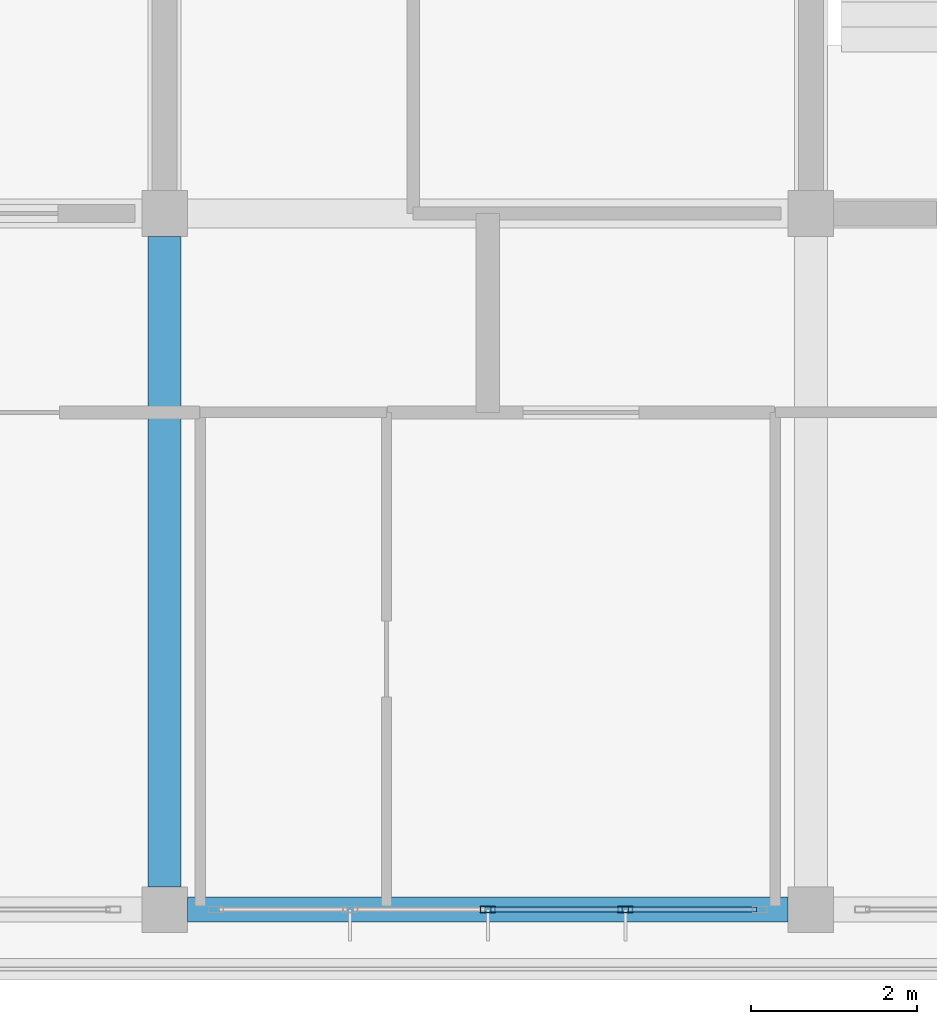
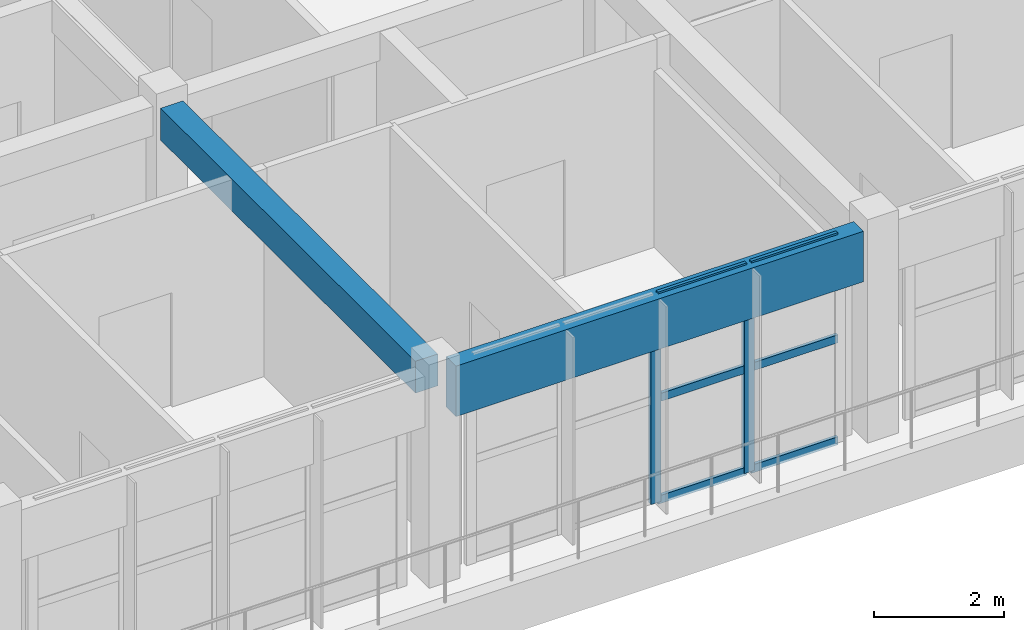
# One storey, part 11 of 44: 8 members, 2 beams, 1 element without a shape of its own.
"""IFC4 building model written with IfcOpenShell, lengths in metres."""

from ifc_helpers import new_model, si_unit, direction, frame, origin, origin_2d, place, context, subcontext, project, spatial, rectangle, hollow_rectangle, extrude, material, layer, layer_set, material_profile, profile_set, type_object, element, aggregate, save


model = new_model("IFC4")

# Units and contexts
model_context = context("Model", 3, precision=1e-05, world=origin(), true_north=direction((0.0, 1.0)))
body_context = subcontext(model_context, "Body", "Model", "MODEL_VIEW")
ifc_project = project(units=[si_unit("LENGTHUNIT", "METRE"), si_unit("AREAUNIT", "SQUARE_METRE"), si_unit("VOLUMEUNIT", "CUBIC_METRE"), si_unit("PLANEANGLEUNIT", "RADIAN"), si_unit("MASSUNIT", "GRAM", prefix="KILO")], contexts=[model_context])

# Site, building, storey
site_placement = place(None, origin())
site = spatial("IfcSite", under=ifc_project, at=site_placement, CompositionType="ELEMENT")
building_placement = place(site_placement, origin())
building = spatial("IfcBuilding", under=site, at=building_placement, Name="Zizhar Promenade General Hospital", CompositionType="ELEMENT")
storey_placement = place(building_placement, frame((0.0, 0.0, 34.800048828125)))
storey = spatial("IfcBuildingStorey", under=building, at=storey_placement, Name="L08", CompositionType="ELEMENT", Elevation=34.800048828125)

# Beams
ifc_material_1 = material(Name="Precast concrete C40/50", Category="concrete")
ifc_material_profile_1 = material_profile(ifc_material_1, rectangle(XDim=0.300048828125, YDim=0.949951171875, at=origin_2d()))
ifc_profile_set_1 = profile_set([ifc_material_profile_1], Name="Precast concrete C40/50")
beam_type_1 = type_object("IfcBeamType", Name="BM-PC-BAND950", PredefinedType="SPANDREL", material=ifc_profile_set_1)
beam_1_placement = place(storey_placement, frame((70.47509765625, 0.0, 3.43505859375), z_axis=(1.0, 0.0, 0.0), x_axis=(0.0, 1.0, 0.0)))
element("IfcBeam", 1, at=beam_1_placement, inside=storey, type_object=beam_type_1, Name="Grid Beam X L08 (9-0)", PredefinedType="SPANDREL", context=body_context, shape_type="SweptSolid", body=[
    extrude(rectangle(XDim=0.300048828125, YDim=0.949951171875, at=origin_2d()), origin(), (0.0, 0.0, 1.0), 7.25),
])
ifc_material_2 = material(Name="Concrete C35/45", Category="concrete")
ifc_material_profile_2 = material_profile(ifc_material_2, rectangle(XDim=0.39990234375, YDim=0.60009765625, at=origin_2d()))
ifc_profile_set_2 = profile_set([ifc_material_profile_2], Name="Concrete C35/45")
beam_type_2 = type_object("IfcBeamType", Name="BM-RC-400x600", PredefinedType="JOIST", material=ifc_profile_set_2)
beam_2_placement = place(storey_placement, frame((70.199951171875, 0.27490234375, 3.60986328125), z_axis=(0.0, 1.0, 0.0), x_axis=(-1.0, 0.0, 0.0)))
element("IfcBeam", 2, at=beam_2_placement, inside=storey, type_object=beam_type_2, Name="Grid Beam Y L08 (9-0)", PredefinedType="JOIST", context=body_context, shape_type="SweptSolid", body=[
    extrude(rectangle(XDim=0.39990234375, YDim=0.60009765625, at=origin_2d()), origin(), (0.0, 0.0, 1.0), 7.85009765625),
])

# Curtain wall, members
ifc_material_3 = material(Name="Anodised aluminium 6063-T6 and low-E glass", Category="aluminium")
ifc_layer = layer(ifc_material_3, 0.159912109375)
ifc_layer_set = layer_set([ifc_layer], Name="Anodised aluminium 6063-T6 and low-E glass")
curtain_wall_type = type_object("IfcCurtainWallType", Name="CW-WARD-RIB", PredefinedType="NOTDEFINED", material=ifc_layer_set)
curtain_wall_placement = place(storey_placement, origin())
curtain_wall = element("IfcCurtainWall", 3, at=curtain_wall_placement, inside=storey, type_object=curtain_wall_type, Name="Ward Ribbon Curtain Wall L08-17-3", PredefinedType="NOTDEFINED")
ifc_material_4 = material(Name="Anodised aluminium 6063-T6", Category="aluminium")
ifc_material_profile_3 = material_profile(ifc_material_4, hollow_rectangle(XDim=0.080078125, YDim=0.179931640625, WallThickness=0.0048828125, at=origin_2d()))
ifc_profile_set_3 = profile_set([ifc_material_profile_3], Name="Anodised aluminium 6063-T6")
member_type_1 = type_object("IfcMemberType", Name="CWM-ALU-180x80", PredefinedType="MULLION", material=ifc_profile_set_3)
member_1_placement = place(storey_placement, frame((75.760009765625, 0.0, 0.0), z_axis=(0.0, 0.0, 1.0), x_axis=(0.0, -1.0, 0.0)))
member_1 = element("IfcMember", 4, at=member_1_placement, type_object=member_type_1, Name="CW-13 mullion 2", PredefinedType="MULLION", context=body_context, shape_type="SweptSolid", body=[
    extrude(hollow_rectangle(XDim=0.080078125, YDim=0.179931640625, WallThickness=0.0048828125, at=origin_2d()), origin(), (0.0, 0.0, 1.0), 3.89990234375),
])
member_2_placement = place(storey_placement, frame((74.10009765625, 0.0, 0.0), z_axis=(0.0, 0.0, 1.0), x_axis=(0.0, -1.0, 0.0)))
member_2 = element("IfcMember", 5, at=member_2_placement, type_object=member_type_1, Name="CW-13 mullion 3", PredefinedType="MULLION", context=body_context, shape_type="SweptSolid", body=[
    extrude(hollow_rectangle(XDim=0.080078125, YDim=0.179931640625, WallThickness=0.0048828125, at=origin_2d()), origin(), (0.0, 0.0, 1.0), 3.89990234375),
])
ifc_material_5 = material(Name="Anodised aluminium 6063-T6", Category="aluminium")
ifc_material_profile_4 = material_profile(ifc_material_5, hollow_rectangle(XDim=0.06005859375, YDim=0.14990234375, WallThickness=0.00390625, at=origin_2d()))
ifc_profile_set_4 = profile_set([ifc_material_profile_4], Name="Anodised aluminium 6063-T6")
member_type_2 = type_object("IfcMemberType", Name="CWT-ALU-150x60", PredefinedType="USERDEFINED", material=ifc_profile_set_4)
member_3_placement = place(storey_placement, frame((77.340087890625, 0.0, 0.030029296875), z_axis=(-1.0, 0.0, 0.0), x_axis=(0.0, -1.0, 0.0)))
member_3 = element("IfcMember", 6, at=member_3_placement, type_object=member_type_2, Name="CW-13 transom 1.1", ObjectType="TRANSOM", PredefinedType="USERDEFINED", context=body_context, shape_type="SweptSolid", body=[
    extrude(hollow_rectangle(XDim=0.06005859375, YDim=0.14990234375, WallThickness=0.00390625, at=origin_2d()), origin(), (0.0, 0.0, 1.0), 1.5400390625),
])
member_4_placement = place(storey_placement, frame((77.340087890625, 0.0, 1.949951171875), z_axis=(-1.0, 0.0, 0.0), x_axis=(0.0, -1.0, 0.0)))
member_4 = element("IfcMember", 7, at=member_4_placement, type_object=member_type_2, Name="CW-13 transom 1.2", ObjectType="TRANSOM", PredefinedType="USERDEFINED", context=body_context, shape_type="SweptSolid", body=[
    extrude(hollow_rectangle(XDim=0.06005859375, YDim=0.14990234375, WallThickness=0.00390625, at=origin_2d()), origin(), (0.0, 0.0, 1.0), 1.5400390625),
])
member_5_placement = place(storey_placement, frame((77.340087890625, 0.0, 3.869873046875), z_axis=(-1.0, 0.0, 0.0), x_axis=(0.0, -1.0, 0.0)))
member_5 = element("IfcMember", 8, at=member_5_placement, type_object=member_type_2, Name="CW-13 transom 1.3", ObjectType="TRANSOM", PredefinedType="USERDEFINED", context=body_context, shape_type="SweptSolid", body=[
    extrude(hollow_rectangle(XDim=0.06005859375, YDim=0.14990234375, WallThickness=0.00390625, at=origin_2d()), origin(), (0.0, 0.0, 1.0), 1.5400390625),
])
member_6_placement = place(storey_placement, frame((75.719970703125, 0.0, 0.030029296875), z_axis=(-1.0, 0.0, 0.0), x_axis=(0.0, -1.0, 0.0)))
member_6 = element("IfcMember", 9, at=member_6_placement, type_object=member_type_2, Name="CW-13 transom 2.1", ObjectType="TRANSOM", PredefinedType="USERDEFINED", context=body_context, shape_type="SweptSolid", body=[
    extrude(hollow_rectangle(XDim=0.06005859375, YDim=0.14990234375, WallThickness=0.00390625, at=origin_2d()), origin(), (0.0, 0.0, 1.0), 1.580078125),
])
member_7_placement = place(storey_placement, frame((75.719970703125, 0.0, 1.949951171875), z_axis=(-1.0, 0.0, 0.0), x_axis=(0.0, -1.0, 0.0)))
member_7 = element("IfcMember", 10, at=member_7_placement, type_object=member_type_2, Name="CW-13 transom 2.2", ObjectType="TRANSOM", PredefinedType="USERDEFINED", context=body_context, shape_type="SweptSolid", body=[
    extrude(hollow_rectangle(XDim=0.06005859375, YDim=0.14990234375, WallThickness=0.00390625, at=origin_2d()), origin(), (0.0, 0.0, 1.0), 1.580078125),
])
member_8_placement = place(storey_placement, frame((75.719970703125, 0.0, 3.869873046875), z_axis=(-1.0, 0.0, 0.0), x_axis=(0.0, -1.0, 0.0)))
member_8 = element("IfcMember", 11, at=member_8_placement, type_object=member_type_2, Name="CW-13 transom 2.3", ObjectType="TRANSOM", PredefinedType="USERDEFINED", context=body_context, shape_type="SweptSolid", body=[
    extrude(hollow_rectangle(XDim=0.06005859375, YDim=0.14990234375, WallThickness=0.00390625, at=origin_2d()), origin(), (0.0, 0.0, 1.0), 1.580078125),
])
aggregate(curtain_wall, [member_1, member_2, member_3, member_4, member_5, member_6, member_7, member_8])

save(model, "model.ifc")
